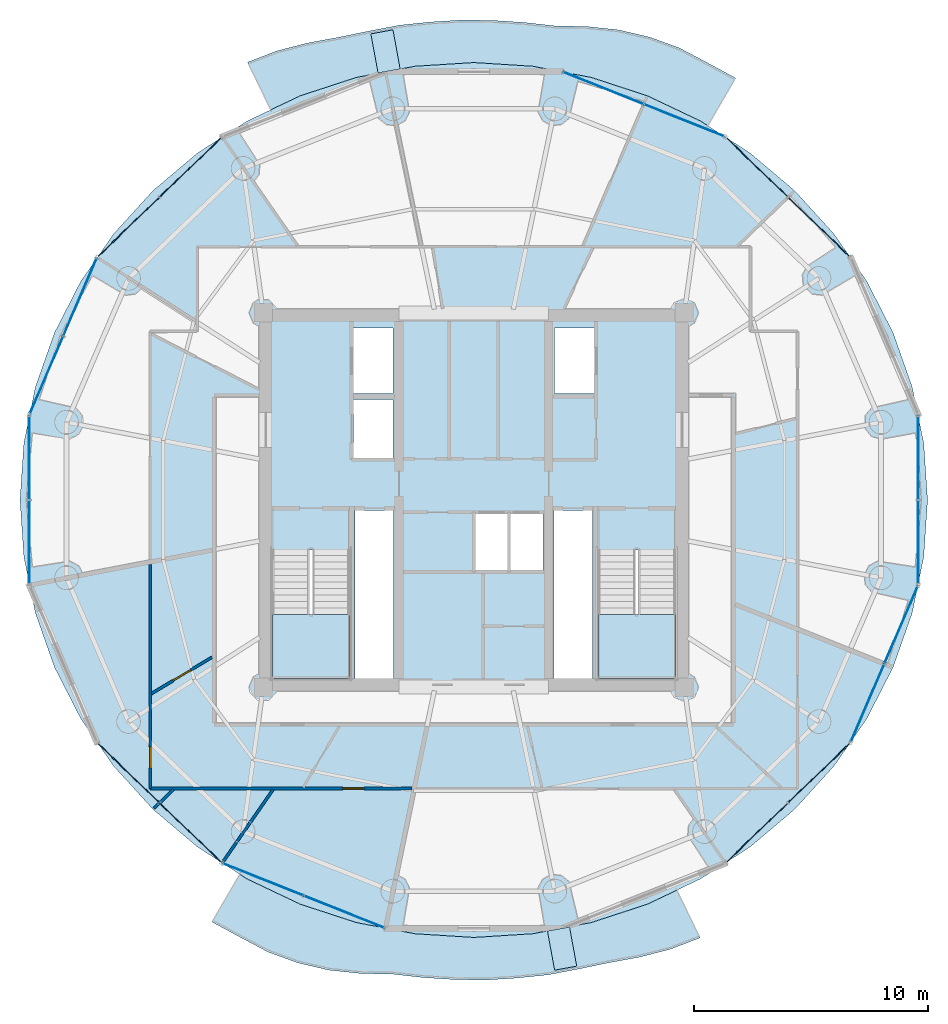
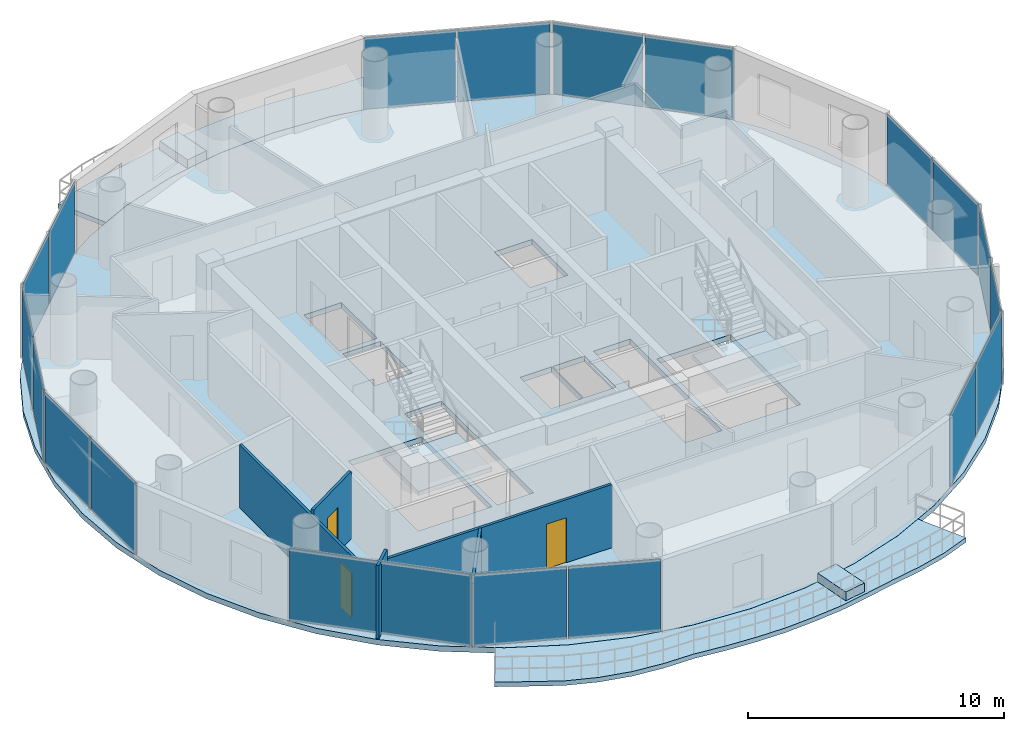
# One storey, part 16 of 23: 20 plates, 7 slabs, 5 walls, 3 doors, 3 openings, 12 elements without a shape of their own.
"""IFC4 building model written with IfcOpenShell, lengths in metres."""

from ifc_helpers import new_model, si_unit, direction, frame, frame_2d, origin, origin_2d, place, context, subcontext, project, spatial, polyline, rectangle, outline, extrude, source, transform, mapped, material, layer, layer_set, type_object, element, fill, aggregate, save


model = new_model("IFC4")

# Units and contexts
model_context = context("Model", 3, precision=1e-05, world=origin(), true_north=direction((-0.2419218956, 0.970295726276)))
body_context = subcontext(model_context, "Body", "Model", "MODEL_VIEW")
ifc_project = project(units=[si_unit("LENGTHUNIT", "METRE"), si_unit("AREAUNIT", "SQUARE_METRE"), si_unit("VOLUMEUNIT", "CUBIC_METRE"), si_unit("PLANEANGLEUNIT", "RADIAN"), si_unit("MASSUNIT", "GRAM", prefix="KILO")], contexts=[model_context])

# Site, building, storey
site_placement = place(None, origin())
site = spatial("IfcSite", under=ifc_project, at=site_placement, CompositionType="ELEMENT")
building_placement = place(site_placement, origin())
building = spatial("IfcBuilding", under=site, at=building_placement, Name="Cobrevalo Terracotta Tower", CompositionType="ELEMENT")
storey_placement = place(building_placement, frame((0.0, 0.0, 251.949951171875)))
storey = spatial("IfcBuildingStorey", under=building, at=storey_placement, Name="L66", CompositionType="ELEMENT", Elevation=251.949951171875)

# Stair, slab
ifc_material_1 = material(Name="Concrete C50", Category="concrete")
stair_type = type_object("IfcStairType", Name="Core protected escape dogleg stair 1600", PredefinedType="HALF_TURN_STAIR", material=ifc_material_1)
stair_1_placement = place(storey_placement, origin())
stair_1 = element("IfcStair", 1, at=stair_1_placement, inside=storey, type_object=stair_type, Name="L66 Protected exit stair ST-1", PredefinedType="HALF_TURN_STAIR")
ifc_layer_1 = layer(ifc_material_1, 0.199951171875)
ifc_layer_set_1 = layer_set([ifc_layer_1], Name="Concrete C50")
slab_type_1 = type_object("IfcSlabType", Name="Reinforced Concrete Stair Landing 200", PredefinedType="LANDING", material=ifc_layer_set_1)
slab_1_placement = place(storey_placement, frame((0.0, 0.0, 1.675048828125)))
slab_1 = element("IfcSlab", 2, at=slab_1_placement, type_object=slab_type_1, Name="ST-1 landing 1", PredefinedType="LANDING", context=body_context, shape_type="SweptSolid", body=[
    extrude(outline(polyline([(29.375, 21.89990234375), (29.375, 19.175048828125), (32.695068359375, 19.175048828125), (32.695068359375, 21.89990234375), (29.375, 21.89990234375)])), origin(), (0.0, 0.0, 1.0), 0.199951171875),
])
aggregate(stair_1, [slab_1])

stair_2_placement = place(storey_placement, origin())
stair_2 = element("IfcStair", 3, at=stair_2_placement, inside=storey, type_object=stair_type, Name="L66 Protected exit stair ST-2", PredefinedType="HALF_TURN_STAIR")
slab_2_placement = place(storey_placement, frame((0.0, 0.0, 1.675048828125)))
slab_2 = element("IfcSlab", 4, at=slab_2_placement, type_object=slab_type_1, Name="ST-2 landing 1", PredefinedType="LANDING", context=body_context, shape_type="SweptSolid", body=[
    extrude(outline(polyline([(43.304931640625, 21.89990234375), (43.304931640625, 19.175048828125), (46.625, 19.175048828125), (46.625, 21.89990234375), (43.304931640625, 21.89990234375)])), origin(), (0.0, 0.0, 1.0), 0.199951171875),
])
aggregate(stair_2, [slab_2])

# Slabs
ifc_material_2 = material(Name="Concrete C45", Category="concrete")
ifc_layer_2 = layer(ifc_material_2, 0.219970703125)
ifc_layer_set_2 = layer_set([ifc_layer_2], Name="Concrete C45")
slab_type_2 = type_object("IfcSlabType", Name="Spiralling cantilevered balcony lobe slab 220 mm", PredefinedType="FLOOR", material=ifc_layer_set_2)
slab_3_placement = place(storey_placement, frame((0.0, 0.0, -0.219970703125)))
element("IfcSlab", 5, at=slab_3_placement, inside=storey, type_object=slab_type_2, Name="L66 spiralling arc balcony slab lobe 1", PredefinedType="FLOOR", context=body_context, shape_type="SweptSolid", body=[
    extrude(outline(polyline([(49.19482421875, 44.8388671875), (48.00244140625, 45.483154296875), (46.798583984375, 46.12158203125), (45.519287109375, 46.58935546875), (44.189208984375, 46.898681640625), (42.832275390625, 47.042236328125), (41.47216796875, 47.068115234375), (40.149169921875, 47.216796875), (38.818603515625, 47.30126953125), (37.48779296875, 47.31982421875), (36.156982421875, 47.23681640625), (34.833251953125, 47.10009765625), (33.524658203125, 46.850830078125), (32.22119140625, 46.5810546875), (30.897705078125, 46.338623046875), (29.58935546875, 46.00146484375), (28.32861328125, 45.517333984375), (29.314697265625, 43.479248046875), (30.5751953125, 44.078369140625), (32.978271484375, 44.86474609375), (35.467529296875, 45.342041015625), (38.0, 45.501953125), (40.532470703125, 45.342041015625), (43.021728515625, 44.86474609375), (45.4248046875, 44.078369140625), (47.700927734375, 42.996337890625), (48.008544921875, 42.79833984375), (49.19482421875, 44.8388671875)])), origin(), (0.0, 0.0, 1.0), 0.219970703125),
])
slab_4_placement = place(storey_placement, frame((0.0, 0.0, -0.219970703125)))
element("IfcSlab", 6, at=slab_4_placement, inside=storey, type_object=slab_type_2, Name="L66 spiralling arc balcony slab lobe 2", PredefinedType="FLOOR", context=body_context, shape_type="SweptSolid", body=[
    extrude(outline(polyline([(26.80517578125, 8.76123046875), (27.99755859375, 8.11669921875), (29.201416015625, 7.478271484375), (30.480712890625, 7.0107421875), (31.810791015625, 6.701416015625), (33.167724609375, 6.5576171875), (34.52783203125, 6.53173828125), (35.850830078125, 6.38330078125), (37.181396484375, 6.298583984375), (38.51220703125, 6.280029296875), (39.843017578125, 6.363037109375), (41.166748046875, 6.499755859375), (42.475341796875, 6.7490234375), (43.77880859375, 7.01904296875), (45.102294921875, 7.26123046875), (46.41064453125, 7.598388671875), (47.67138671875, 8.082763671875), (46.685302734375, 10.120849609375), (45.4248046875, 9.521484375), (43.021728515625, 8.7353515625), (40.532470703125, 8.258056640625), (38.0, 8.097900390625), (35.467529296875, 8.258056640625), (32.978271484375, 8.7353515625), (30.5751953125, 9.521484375), (28.299072265625, 10.603515625), (27.991455078125, 10.8017578125), (26.80517578125, 8.76123046875)])), origin(), (0.0, 0.0, 1.0), 0.219970703125),
])
ifc_material_3 = material(Name="Precast concrete C45", Category="concrete")
ifc_layer_3 = layer(ifc_material_3, 0.419921875)
ifc_layer_set_3 = layer_set([ifc_layer_3], Name="Precast concrete C45")
slab_type_3 = type_object("IfcSlabType", Name="Structural tree planter trough base 420 mm", PredefinedType="USERDEFINED", material=ifc_layer_set_3)
slab_5_placement = place(storey_placement, origin())
element("IfcSlab", 7, at=slab_5_placement, inside=storey, type_object=slab_type_3, Name="L66 structural tree planter trough 1", ObjectType="PLANTER", PredefinedType="USERDEFINED", context=body_context, shape_type="SweptSolid", body=[
    extrude(outline(polyline([(34.851318359375, 45.2275390625), (34.544677734375, 46.899658203125), (33.600341796875, 46.726318359375), (33.906982421875, 45.05419921875), (34.851318359375, 45.2275390625)])), origin(), (0.0, 0.0, 1.0), 0.420166015625),
])
slab_6_placement = place(storey_placement, origin())
element("IfcSlab", 8, at=slab_6_placement, inside=storey, type_object=slab_type_3, Name="L66 structural tree planter trough 2", ObjectType="PLANTER", PredefinedType="USERDEFINED", context=body_context, shape_type="SweptSolid", body=[
    extrude(outline(polyline([(41.148681640625, 8.37255859375), (41.455322265625, 6.700439453125), (42.399658203125, 6.87353515625), (42.093017578125, 8.545654296875), (41.148681640625, 8.37255859375)])), origin(), (0.0, 0.0, 1.0), 0.420166015625),
])
ifc_layer_4 = layer(ifc_material_2, 0.260009765625)
ifc_layer_set_4 = layer_set([ifc_layer_4], Name="Concrete C45")
slab_type_4 = type_object("IfcSlabType", Name="Zone Z5 elliptical floor plate 260 mm", PredefinedType="FLOOR", material=ifc_layer_set_4)
slab_7_placement = place(storey_placement, frame((0.0, 0.0, -0.260009765625)))
element("IfcSlab", 9, at=slab_7_placement, inside=storey, type_object=slab_type_4, Name="L66 indoor elliptical floor slab", PredefinedType="FLOOR", context=body_context, shape_type="SweptSolid", body=[
    extrude(outline(polyline([(57.234130859375, 24.359130859375), (56.739013671875, 21.9599609375), (55.92333984375, 19.643798828125), (54.80078125, 17.449951171875), (53.39111328125, 15.416259765625), (51.7177734375, 13.5771484375), (49.81005859375, 11.96435546875), (47.699951171875, 10.605224609375), (45.424072265625, 9.5234375), (43.02099609375, 8.7373046875), (40.5322265625, 8.260009765625), (38.0, 8.10009765625), (35.4677734375, 8.260009765625), (32.97900390625, 8.7373046875), (30.575927734375, 9.5234375), (28.300048828125, 10.605224609375), (26.18994140625, 11.96435546875), (24.2822265625, 13.5771484375), (22.60888671875, 15.416259765625), (21.19921875, 17.449951171875), (20.07666015625, 19.643798828125), (19.260986328125, 21.9599609375), (18.765869140625, 24.359130859375), (18.60009765625, 26.800048828125), (18.765869140625, 29.24072265625), (19.260986328125, 31.639892578125), (20.07666015625, 33.956298828125), (21.19921875, 36.14990234375), (22.60888671875, 38.183837890625), (24.2822265625, 40.02294921875), (26.18994140625, 41.6357421875), (28.300048828125, 42.99462890625), (30.575927734375, 44.07666015625), (32.97900390625, 44.86279296875), (35.4677734375, 45.340087890625), (38.0, 45.5), (40.5322265625, 45.340087890625), (43.02099609375, 44.86279296875), (45.424072265625, 44.07666015625), (47.699951171875, 42.99462890625), (49.81005859375, 41.6357421875), (51.7177734375, 40.02294921875), (53.39111328125, 38.183837890625), (54.80078125, 36.14990234375), (55.92333984375, 33.956298828125), (56.739013671875, 31.639892578125), (57.234130859375, 29.24072265625), (57.39990234375, 26.800048828125), (57.234130859375, 24.359130859375)]), holes=[polyline([(32.695068359375, 19.175048828125), (32.695068359375, 24.659912109375), (29.375, 24.659912109375), (29.375, 19.175048828125), (32.695068359375, 19.175048828125)]), polyline([(46.625, 19.175048828125), (46.625, 24.659912109375), (43.304931640625, 24.659912109375), (43.304931640625, 19.175048828125), (46.625, 19.175048828125)]), polyline([(34.574951171875, 26.360107421875), (32.919921875, 26.360107421875), (32.919921875, 19.175048828125), (34.574951171875, 19.175048828125), (34.574951171875, 26.360107421875)]), polyline([(43.080078125, 26.360107421875), (41.425048828125, 26.360107421875), (41.425048828125, 19.175048828125), (43.080078125, 19.175048828125), (43.080078125, 26.360107421875)]), polyline([(39.469970703125, 26.25), (38.0400390625, 26.25), (38.0400390625, 23.800048828125), (39.469970703125, 23.800048828125), (39.469970703125, 26.25)]), polyline([(40.949951171875, 26.25), (39.52001953125, 26.25), (39.52001953125, 23.800048828125), (40.949951171875, 23.800048828125), (40.949951171875, 26.25)]), polyline([(34.550048828125, 31.10009765625), (32.85009765625, 31.10009765625), (32.85009765625, 28.60009765625), (34.550048828125, 28.60009765625), (34.550048828125, 31.10009765625)]), polyline([(34.550048828125, 31.35009765625), (34.550048828125, 34.14990234375), (32.85009765625, 34.14990234375), (32.85009765625, 31.35009765625), (34.550048828125, 31.35009765625)]), polyline([(43.14990234375, 31.35009765625), (43.14990234375, 34.14990234375), (41.449951171875, 34.14990234375), (41.449951171875, 31.35009765625), (43.14990234375, 31.35009765625)])]), origin(), (0.0, 0.0, 1.0), 0.260009765625),
])

# Curtain wall, plates
ifc_material_4 = material(Name="Anodized aluminium", Category="aluminium")
curtain_wall_type = type_object("IfcCurtainWallType", Name="Upper-tower triple-glazed penthouse curtain wall CW-U3", PredefinedType="NOTDEFINED", material=ifc_material_4)
curtain_wall_1_placement = place(storey_placement, origin())
curtain_wall_1 = element("IfcCurtainWall", 10, at=curtain_wall_1_placement, inside=storey, type_object=curtain_wall_type, Name="L66 curtain wall CW-L66-S02", PredefinedType="NOTDEFINED")
ifc_material_5 = material(Name="Solar-control low-E double glazing", Category="glass")
ifc_layer_5 = layer(ifc_material_5, 0.028076171875)
ifc_layer_set_5 = layer_set([ifc_layer_5], Name="Solar-control low-E double glazing")
plate_type = type_object("IfcPlateType", Name="Tower solar-control low-E vision glass panel 28 mm", PredefinedType="CURTAIN_PANEL", material=ifc_layer_set_5)
shared_shape_1 = source(origin(), body_context, "Body", "SweptSolid", [
    extrude(rectangle(XDim=3.59130859375, YDim=0.035888671875, at=origin_2d()), origin(), (0.0, 0.0, 1.0), 3.409912109375),
])
plate_1_placement = place(storey_placement, frame((52.755126953125, 38.47412109375, 0.0400390625), z_axis=(0.0, 0.0, 1.0), x_axis=(-0.719996603293, 0.693977586992, 0.0)))
plate_1 = element("IfcPlate", 11, at=plate_1_placement, type_object=plate_type, Name="CW-L66-S02 glazing panel B01", PredefinedType="CURTAIN_PANEL", context=body_context, shape_type="MappedRepresentation", body=[
    mapped(shared_shape_1, transform((0.0, 0.0, 0.0), scale=1.0)),
])
plate_2_placement = place(storey_placement, frame((50.11181640625, 41.02197265625, 0.0400390625), z_axis=(0.0, 0.0, 1.0), x_axis=(-0.719996603293, 0.693977586992, 0.0)))
plate_2 = element("IfcPlate", 12, at=plate_2_placement, type_object=plate_type, Name="CW-L66-S02 glazing panel B02", PredefinedType="CURTAIN_PANEL", context=body_context, shape_type="MappedRepresentation", body=[
    mapped(shared_shape_1, transform((0.0, 0.0, 0.0), scale=1.0)),
])
aggregate(curtain_wall_1, [plate_1, plate_2])

curtain_wall_2_placement = place(storey_placement, origin())
curtain_wall_2 = element("IfcCurtainWall", 13, at=curtain_wall_2_placement, inside=storey, type_object=curtain_wall_type, Name="L66 curtain wall CW-L66-S06", PredefinedType="NOTDEFINED")
plate_3_placement = place(storey_placement, frame((25.88818359375, 41.02197265625, 0.0400390625), z_axis=(0.0, 0.0, 1.0), x_axis=(-0.719996603293, -0.693977586992, 0.0)))
plate_3 = element("IfcPlate", 14, at=plate_3_placement, type_object=plate_type, Name="CW-L66-S06 glazing panel B01", PredefinedType="CURTAIN_PANEL", context=body_context, shape_type="MappedRepresentation", body=[
    mapped(shared_shape_1, transform((0.0, 0.0, 0.0), scale=1.0)),
])
plate_4_placement = place(storey_placement, frame((23.244873046875, 38.47412109375, 0.0400390625), z_axis=(0.0, 0.0, 1.0), x_axis=(-0.719996603293, -0.693977586992, 0.0)))
plate_4 = element("IfcPlate", 15, at=plate_4_placement, type_object=plate_type, Name="CW-L66-S06 glazing panel B02", PredefinedType="CURTAIN_PANEL", context=body_context, shape_type="MappedRepresentation", body=[
    mapped(shared_shape_1, transform((0.0, 0.0, 0.0), scale=1.0)),
])
aggregate(curtain_wall_2, [plate_3, plate_4])

curtain_wall_3_placement = place(storey_placement, origin())
curtain_wall_3 = element("IfcCurtainWall", 16, at=curtain_wall_3_placement, inside=storey, type_object=curtain_wall_type, Name="L66 curtain wall CW-L66-S10", PredefinedType="NOTDEFINED")
plate_5_placement = place(storey_placement, frame((23.244873046875, 15.1259765625, 0.0400390625), z_axis=(0.0, 0.0, 1.0), x_axis=(0.719996603293, -0.693977586992, 0.0)))
plate_5 = element("IfcPlate", 17, at=plate_5_placement, type_object=plate_type, Name="CW-L66-S10 glazing panel B01", PredefinedType="CURTAIN_PANEL", context=body_context, shape_type="MappedRepresentation", body=[
    mapped(shared_shape_1, transform((0.0, 0.0, 0.0), scale=1.0)),
])
plate_6_placement = place(storey_placement, frame((25.88818359375, 12.578125, 0.0400390625), z_axis=(0.0, 0.0, 1.0), x_axis=(0.719996603293, -0.693977586992, 0.0)))
plate_6 = element("IfcPlate", 18, at=plate_6_placement, type_object=plate_type, Name="CW-L66-S10 glazing panel B02", PredefinedType="CURTAIN_PANEL", context=body_context, shape_type="MappedRepresentation", body=[
    mapped(shared_shape_1, transform((0.0, 0.0, 0.0), scale=1.0)),
])
aggregate(curtain_wall_3, [plate_5, plate_6])

curtain_wall_4_placement = place(storey_placement, origin())
curtain_wall_4 = element("IfcCurtainWall", 19, at=curtain_wall_4_placement, inside=storey, type_object=curtain_wall_type, Name="L66 curtain wall CW-L66-S14", PredefinedType="NOTDEFINED")
plate_7_placement = place(storey_placement, frame((50.11181640625, 12.578125, 0.0400390625), z_axis=(0.0, 0.0, 1.0), x_axis=(0.719996603293, 0.693977586992, 0.0)))
plate_7 = element("IfcPlate", 20, at=plate_7_placement, type_object=plate_type, Name="CW-L66-S14 glazing panel B01", PredefinedType="CURTAIN_PANEL", context=body_context, shape_type="MappedRepresentation", body=[
    mapped(shared_shape_1, transform((0.0, 0.0, 0.0), scale=1.0)),
])
plate_8_placement = place(storey_placement, frame((52.755126953125, 15.1259765625, 0.0400390625), z_axis=(0.0, 0.0, 1.0), x_axis=(0.719996603293, 0.693977586992, 0.0)))
plate_8 = element("IfcPlate", 21, at=plate_8_placement, type_object=plate_type, Name="CW-L66-S14 glazing panel B02", PredefinedType="CURTAIN_PANEL", context=body_context, shape_type="MappedRepresentation", body=[
    mapped(shared_shape_1, transform((0.0, 0.0, 0.0), scale=1.0)),
])
aggregate(curtain_wall_4, [plate_7, plate_8])

curtain_wall_5_placement = place(storey_placement, origin())
curtain_wall_5 = element("IfcCurtainWall", 22, at=curtain_wall_5_placement, inside=storey, type_object=curtain_wall_type, Name="L66 curtain wall CW-L66-S03", PredefinedType="NOTDEFINED")
shared_shape_2 = source(origin(), body_context, "Body", "SweptSolid", [
    extrude(rectangle(XDim=3.63916015625, YDim=0.035888671875, at=origin_2d()), origin(), (0.0, 0.0, 1.0), 3.409912109375),
])
plate_9_placement = place(storey_placement, frame((46.997314453125, 43.02783203125, 0.0400390625), z_axis=(0.0, 0.0, 1.0), x_axis=(-0.92871833374, 0.370785998353, 0.0)))
plate_9 = element("IfcPlate", 23, at=plate_9_placement, type_object=plate_type, Name="CW-L66-S03 glazing panel B01", PredefinedType="CURTAIN_PANEL", context=body_context, shape_type="MappedRepresentation", body=[
    mapped(shared_shape_2, transform((0.0, 0.0, 0.0), scale=1.0)),
])
plate_10_placement = place(storey_placement, frame((43.543212890625, 44.406982421875, 0.0400390625), z_axis=(0.0, 0.0, 1.0), x_axis=(-0.92871833374, 0.370785998353, 0.0)))
plate_10 = element("IfcPlate", 24, at=plate_10_placement, type_object=plate_type, Name="CW-L66-S03 glazing panel B02", PredefinedType="CURTAIN_PANEL", context=body_context, shape_type="MappedRepresentation", body=[
    mapped(shared_shape_2, transform((0.0, 0.0, 0.0), scale=1.0)),
])
aggregate(curtain_wall_5, [plate_9, plate_10])

curtain_wall_6_placement = place(storey_placement, origin())
curtain_wall_6 = element("IfcCurtainWall", 25, at=curtain_wall_6_placement, inside=storey, type_object=curtain_wall_type, Name="L66 curtain wall CW-L66-S11", PredefinedType="NOTDEFINED")
plate_11_placement = place(storey_placement, frame((29.002685546875, 10.572021484375, 0.0400390625), z_axis=(0.0, 0.0, 1.0), x_axis=(0.92871833374, -0.370785998353, 0.0)))
plate_11 = element("IfcPlate", 26, at=plate_11_placement, type_object=plate_type, Name="CW-L66-S11 glazing panel B01", PredefinedType="CURTAIN_PANEL", context=body_context, shape_type="MappedRepresentation", body=[
    mapped(shared_shape_2, transform((0.0, 0.0, 0.0), scale=1.0)),
])
plate_12_placement = place(storey_placement, frame((32.456787109375, 9.193115234375, 0.0400390625), z_axis=(0.0, 0.0, 1.0), x_axis=(0.92871833374, -0.370785998353, 0.0)))
plate_12 = element("IfcPlate", 27, at=plate_12_placement, type_object=plate_type, Name="CW-L66-S11 glazing panel B02", PredefinedType="CURTAIN_PANEL", context=body_context, shape_type="MappedRepresentation", body=[
    mapped(shared_shape_2, transform((0.0, 0.0, 0.0), scale=1.0)),
])
aggregate(curtain_wall_6, [plate_11, plate_12])

curtain_wall_7_placement = place(storey_placement, origin())
curtain_wall_7 = element("IfcCurtainWall", 28, at=curtain_wall_7_placement, inside=storey, type_object=curtain_wall_type, Name="L66 curtain wall CW-L66-S07", PredefinedType="NOTDEFINED")
shared_shape_3 = source(origin(), body_context, "Body", "SweptSolid", [
    extrude(rectangle(XDim=3.542724609375, YDim=0.035888671875, at=origin_2d()), origin(), (0.0, 0.0, 1.0), 3.409912109375),
])
plate_13_placement = place(storey_placement, frame((21.16357421875, 35.4716796875, 0.0400390625), z_axis=(0.0, 0.0, 1.0), x_axis=(-0.394828845134, -0.918754691444, 0.0)))
plate_13 = element("IfcPlate", 29, at=plate_13_placement, type_object=plate_type, Name="CW-L66-S07 glazing panel B01", PredefinedType="CURTAIN_PANEL", context=body_context, shape_type="MappedRepresentation", body=[
    mapped(shared_shape_3, transform((0.0, 0.0, 0.0), scale=1.0)),
])
plate_14_placement = place(storey_placement, frame((19.733154296875, 32.143310546875, 0.0400390625), z_axis=(0.0, 0.0, 1.0), x_axis=(-0.394828845134, -0.918754691444, 0.0)))
plate_14 = element("IfcPlate", 30, at=plate_14_placement, type_object=plate_type, Name="CW-L66-S07 glazing panel B02", PredefinedType="CURTAIN_PANEL", context=body_context, shape_type="MappedRepresentation", body=[
    mapped(shared_shape_3, transform((0.0, 0.0, 0.0), scale=1.0)),
])
aggregate(curtain_wall_7, [plate_13, plate_14])

curtain_wall_8_placement = place(storey_placement, origin())
curtain_wall_8 = element("IfcCurtainWall", 31, at=curtain_wall_8_placement, inside=storey, type_object=curtain_wall_type, Name="L66 curtain wall CW-L66-S15", PredefinedType="NOTDEFINED")
plate_15_placement = place(storey_placement, frame((54.83642578125, 18.12841796875, 0.0400390625), z_axis=(0.0, 0.0, 1.0), x_axis=(0.394828845134, 0.918754691444, 0.0)))
plate_15 = element("IfcPlate", 32, at=plate_15_placement, type_object=plate_type, Name="CW-L66-S15 glazing panel B01", PredefinedType="CURTAIN_PANEL", context=body_context, shape_type="MappedRepresentation", body=[
    mapped(shared_shape_3, transform((0.0, 0.0, 0.0), scale=1.0)),
])
plate_16_placement = place(storey_placement, frame((56.266845703125, 21.456787109375, 0.0400390625), z_axis=(0.0, 0.0, 1.0), x_axis=(0.394828845134, 0.918754691444, 0.0)))
plate_16 = element("IfcPlate", 33, at=plate_16_placement, type_object=plate_type, Name="CW-L66-S15 glazing panel B02", PredefinedType="CURTAIN_PANEL", context=body_context, shape_type="MappedRepresentation", body=[
    mapped(shared_shape_3, transform((0.0, 0.0, 0.0), scale=1.0)),
])
aggregate(curtain_wall_8, [plate_15, plate_16])

curtain_wall_9_placement = place(storey_placement, origin())
curtain_wall_9 = element("IfcCurtainWall", 34, at=curtain_wall_9_placement, inside=storey, type_object=curtain_wall_type, Name="L66 curtain wall CW-L66-S08", PredefinedType="NOTDEFINED")
shared_shape_4 = source(origin(), body_context, "Body", "SweptSolid", [
    extrude(rectangle(XDim=3.522216796875, YDim=0.035888671875, at=origin_2d()), origin(), (0.0, 0.0, 1.0), 3.409912109375),
])
plate_17_placement = place(storey_placement, frame((19.002197265625, 28.60107421875, 0.0400390625), z_axis=(0.0, 0.0, 1.0), x_axis=(0.0, -1.0, 0.0)))
plate_17 = element("IfcPlate", 35, at=plate_17_placement, type_object=plate_type, Name="CW-L66-S08 glazing panel B01", PredefinedType="CURTAIN_PANEL", context=body_context, shape_type="MappedRepresentation", body=[
    mapped(shared_shape_4, transform((0.0, 0.0, 0.0), scale=1.0)),
])
plate_18_placement = place(storey_placement, frame((19.002197265625, 24.998779296875, 0.0400390625), z_axis=(0.0, 0.0, 1.0), x_axis=(0.0, -1.0, 0.0)))
plate_18 = element("IfcPlate", 36, at=plate_18_placement, type_object=plate_type, Name="CW-L66-S08 glazing panel B02", PredefinedType="CURTAIN_PANEL", context=body_context, shape_type="MappedRepresentation", body=[
    mapped(shared_shape_4, transform((0.0, 0.0, 0.0), scale=1.0)),
])
aggregate(curtain_wall_9, [plate_17, plate_18])

curtain_wall_10_placement = place(storey_placement, origin())
curtain_wall_10 = element("IfcCurtainWall", 37, at=curtain_wall_10_placement, inside=storey, type_object=curtain_wall_type, Name="L66 curtain wall CW-L66-S16", PredefinedType="NOTDEFINED")
plate_19_placement = place(storey_placement, frame((56.997802734375, 24.998779296875, 0.0400390625), z_axis=(0.0, 0.0, 1.0), x_axis=(0.0, 1.0, 0.0)))
plate_19 = element("IfcPlate", 38, at=plate_19_placement, type_object=plate_type, Name="CW-L66-S16 glazing panel B01", PredefinedType="CURTAIN_PANEL", context=body_context, shape_type="MappedRepresentation", body=[
    mapped(shared_shape_4, transform((0.0, 0.0, 0.0), scale=1.0)),
])
plate_20_placement = place(storey_placement, frame((56.997802734375, 28.60107421875, 0.0400390625), z_axis=(0.0, 0.0, 1.0), x_axis=(0.0, 1.0, 0.0)))
plate_20 = element("IfcPlate", 39, at=plate_20_placement, type_object=plate_type, Name="CW-L66-S16 glazing panel B02", PredefinedType="CURTAIN_PANEL", context=body_context, shape_type="MappedRepresentation", body=[
    mapped(shared_shape_4, transform((0.0, 0.0, 0.0), scale=1.0)),
])
aggregate(curtain_wall_10, [plate_19, plate_20])

# Wall, opening, door
ifc_material_6 = material(Name="Gypsum board on steel stud", Category="steel")
ifc_layer_6 = layer(ifc_material_6, 0.1201171875)
ifc_layer_set_6 = layer_set([ifc_layer_6], Name="Gypsum board on steel stud")
wall_type = type_object("IfcWallType", Name="Residential internal acoustic stud partition 120 mm", PredefinedType="PARTITIONING", material=ifc_layer_set_6)
wall_1_placement = place(storey_placement, frame((35.3525390625, 14.465087890625, 0.0), z_axis=(0.0, 0.0, 1.0), x_axis=(-1.0, 0.0, 0.0)))
wall_1 = element("IfcWall", 40, at=wall_1_placement, inside=storey, type_object=wall_type, Name="L66 interior partition IW-L66-U2-RING0_0", PredefinedType="PARTITIONING", context=body_context, shape_type="SweptSolid", body=[
    extrude(rectangle(XDim=11.1875, YDim=0.1201171875, at=frame_2d((5.59375, 0.0))), origin(), (0.0, 0.0, 1.0), 3.01513671875),
])
opening_1_placement = place(wall_1_placement, frame((2.048828125, 0.0, 0.0)))
opening_1 = element("IfcOpeningElement", 41, at=opening_1_placement, cuts=wall_1, Name="Opening ID-12", PredefinedType="OPENING", context=body_context, shape_type="SweptSolid", body=[
    extrude(rectangle(XDim=0.89990234375, YDim=2.14990234375, at=frame_2d((0.449951171875, 1.074951171875))), frame((0.0, 0.070068359375, 0.0), z_axis=(0.0, -1.0, 0.0), x_axis=(1.0, 0.0, 0.0)), (0.0, 0.0, 1.0), 0.14013671875),
])
ifc_material_7 = material(Name="Engineered timber", Category="wood")
door_type_1 = type_object("IfcDoorType", Name="Internal residence & suite timber door 900x2150", OperationType="NOTDEFINED", PredefinedType="DOOR", material=ifc_material_7)
shared_shape_5 = source(origin(), body_context, "Body", "SweptSolid", [
    extrude(rectangle(XDim=0.89990234375, YDim=2.14990234375, at=frame_2d((0.449951171875, 1.074951171875))), frame((0.0, 0.02490234375, 0.0), z_axis=(0.0, -1.0, 0.0), x_axis=(1.0, 0.0, 0.0)), (0.0, 0.0, 1.0), 0.050048828125),
])
door_1_placement = place(opening_1_placement, origin())
door_1 = element("IfcDoor", 42, at=door_1_placement, inside=storey, type_object=door_type_1, Name="Flat L66B Master Bedroom internal door", OperationType="SINGLE_SWING_LEFT", OverallHeight=2.14990234375, OverallWidth=0.89990234375, PredefinedType="DOOR", context=body_context, shape_type="MappedRepresentation", body=[
    mapped(shared_shape_5, transform((0.0, 0.0, 0.0), scale=1.0)),
])
fill(opening_1, door_1)

wall_2_placement = place(storey_placement, frame((24.1650390625, 14.465087890625, 0.0), z_axis=(0.0, 0.0, 1.0), x_axis=(0.0, 1.0, 0.0)))
wall_2 = element("IfcWall", 43, at=wall_2_placement, inside=storey, type_object=wall_type, Name="L66 interior partition IW-L66-U2-RING1_0", PredefinedType="PARTITIONING", context=body_context, shape_type="SweptSolid", body=[
    extrude(rectangle(XDim=9.580322265625, YDim=0.1201171875, at=frame_2d((4.7900390625, 0.0))), origin(), (0.0, 0.0, 1.0), 3.01513671875),
])
opening_2_placement = place(wall_2_placement, frame((0.878662109375, 0.0, 0.0)))
opening_2 = element("IfcOpeningElement", 44, at=opening_2_placement, cuts=wall_2, Name="Opening ID-12", PredefinedType="OPENING", context=body_context, shape_type="SweptSolid", body=[
    extrude(rectangle(XDim=0.89990234375, YDim=2.14990234375, at=frame_2d((0.449951171875, 1.074951171875))), frame((0.0, 0.070068359375, 0.0), z_axis=(0.0, -1.0, 0.0), x_axis=(1.0, 0.0, 0.0)), (0.0, 0.0, 1.0), 0.14013671875),
])
door_2_placement = place(opening_2_placement, origin())
door_2 = element("IfcDoor", 45, at=door_2_placement, inside=storey, type_object=door_type_1, Name="Flat L66B Living and Dining Room internal door", OperationType="SINGLE_SWING_LEFT", OverallHeight=2.14990234375, OverallWidth=0.89990234375, PredefinedType="DOOR", context=body_context, shape_type="MappedRepresentation", body=[
    mapped(shared_shape_5, transform((0.0, 0.0, 0.0), scale=1.0)),
])
fill(opening_2, door_2)

# Walls
wall_3_placement = place(storey_placement, frame((25.15869140625, 14.421875, 0.0), z_axis=(0.0, 0.0, 1.0), x_axis=(-0.720070222664, -0.693901199331, 0.0)))
element("IfcWall", 46, at=wall_3_placement, inside=storey, type_object=wall_type, Name="L66 interior partition IW-L66-U2-ORAD1", PredefinedType="PARTITIONING", context=body_context, shape_type="SweptSolid", body=[
    extrude(rectangle(XDim=1.15673828125, YDim=0.1201171875, at=frame_2d((0.578369140625, 0.0))), origin(), (0.0, 0.0, 1.0), 3.489990234375),
])
wall_4_placement = place(storey_placement, frame((29.4140625, 14.4140625, 0.0), z_axis=(0.0, 0.0, 1.0), x_axis=(-0.569657021681, -0.821882520589, 0.0)))
element("IfcWall", 47, at=wall_4_placement, inside=storey, type_object=wall_type, Name="L66 interior partition IW-L66-U2-ORAD2", PredefinedType="PARTITIONING", context=body_context, shape_type="SweptSolid", body=[
    extrude(rectangle(XDim=3.747802734375, YDim=0.1201171875, at=frame_2d((1.8740234375, 0.0))), origin(), (0.0, 0.0, 1.0), 3.01513671875),
])

# Wall, opening, door
wall_5_placement = place(storey_placement, frame((26.81494140625, 20.081787109375, 0.0), z_axis=(0.0, 0.0, 1.0), x_axis=(-0.857265264382, -0.514875000834, 0.0)))
wall_5 = element("IfcWall", 48, at=wall_5_placement, inside=storey, type_object=wall_type, Name="L66 interior partition IW-L66-U2-IRAD1", PredefinedType="PARTITIONING", context=body_context, shape_type="SweptSolid", body=[
    extrude(rectangle(XDim=3.029052734375, YDim=0.1201171875, at=frame_2d((1.5146484375, 0.0))), origin(), (0.0, 0.0, 1.0), 3.208984375),
])
opening_3_placement = place(wall_5_placement, frame((1.084716796875, 0.0, 0.0)))
opening_3 = element("IfcOpeningElement", 49, at=opening_3_placement, cuts=wall_5, Name="Opening ID-19", PredefinedType="OPENING", context=body_context, shape_type="SweptSolid", body=[
    extrude(rectangle(XDim=0.860107421875, YDim=2.14990234375, at=frame_2d((0.43017578125, 1.074951171875))), frame((0.0, 0.070068359375, 0.0), z_axis=(0.0, -1.0, 0.0), x_axis=(1.0, 0.0, 0.0)), (0.0, 0.0, 1.0), 0.14013671875),
])
ifc_material_8 = material(Name="Moisture-sealed timber", Category="wood")
door_type_2 = type_object("IfcDoorType", Name="Suite bathroom internal timber door 860x2150", OperationType="NOTDEFINED", PredefinedType="DOOR", material=ifc_material_8)
shared_shape_6 = source(origin(), body_context, "Body", "SweptSolid", [
    extrude(rectangle(XDim=0.860107421875, YDim=2.14990234375, at=frame_2d((0.43017578125, 1.074951171875))), frame((0.0, 0.02490234375, 0.0), z_axis=(0.0, -1.0, 0.0), x_axis=(1.0, 0.0, 0.0)), (0.0, 0.0, 1.0), 0.050048828125),
])
door_3_placement = place(opening_3_placement, frame((0.860107421875, 0.0, 0.0), z_axis=(0.0, 0.0, 1.0), x_axis=(-1.0, 0.0, 0.0)))
door_3 = element("IfcDoor", 50, at=door_3_placement, inside=storey, type_object=door_type_2, Name="Flat L66B Primary Bathroom internal door", OperationType="SINGLE_SWING_RIGHT", OverallHeight=2.14990234375, OverallWidth=0.860107421875, PredefinedType="DOOR", context=body_context, shape_type="MappedRepresentation", body=[
    mapped(shared_shape_6, transform((0.0, 0.0, 0.0), scale=1.0)),
])
fill(opening_3, door_3)

save(model, "model.ifc")
